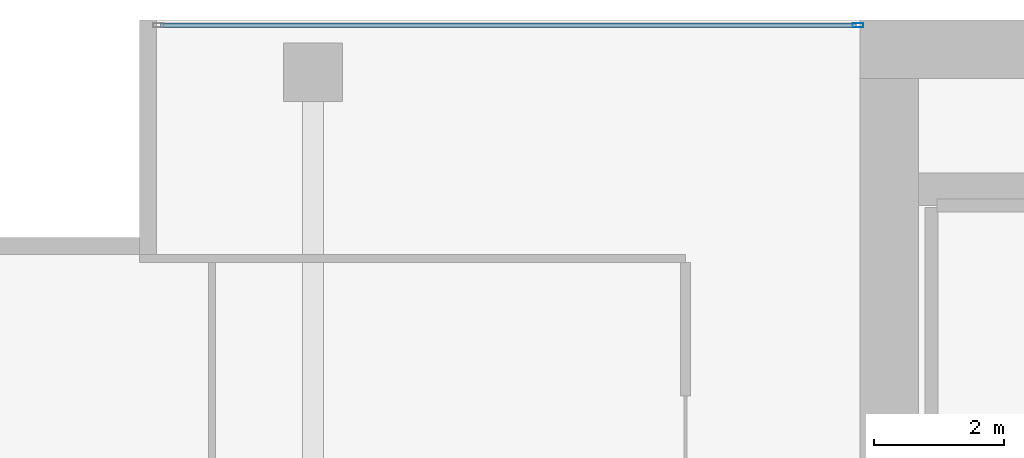
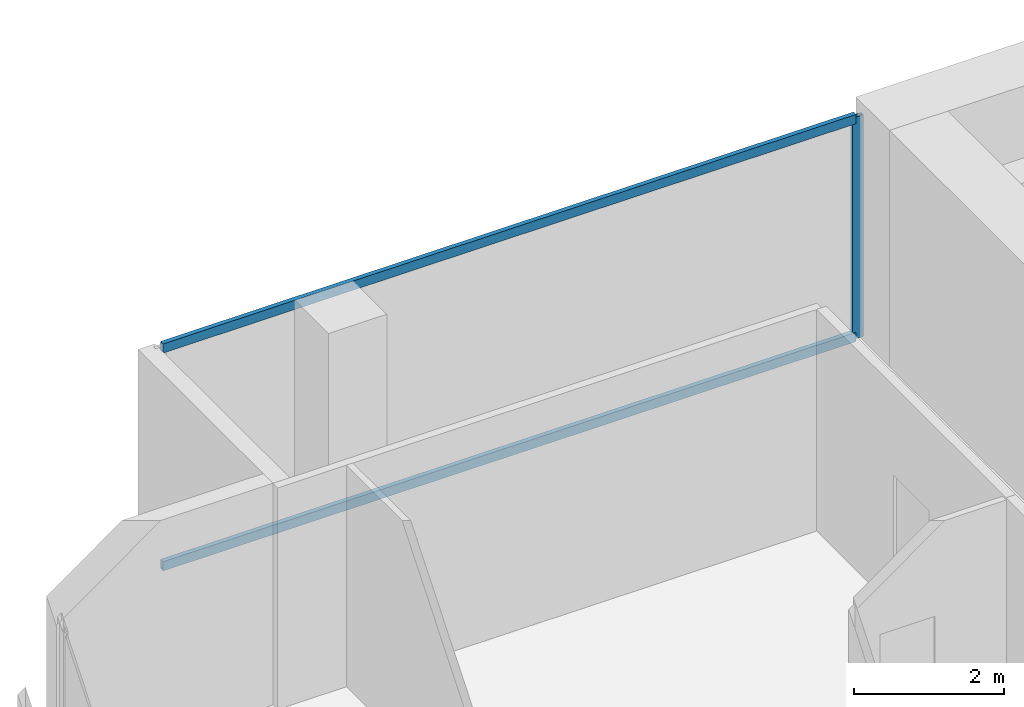
# One storey, part 26 of 40: 3 members, 1 element without a shape of its own.
"""IFC4 building model written with IfcOpenShell, lengths in metres."""

from ifc_helpers import new_model, si_unit, direction, frame, origin, origin_2d, place, context, subcontext, project, spatial, hollow_rectangle, extrude, material, layer, layer_set, material_profile, profile_set, type_object, element, aggregate, save


model = new_model("IFC4")

# Units and contexts
model_context = context("Model", 3, precision=1e-05, world=origin(), true_north=direction((0.0, 1.0)))
body_context = subcontext(model_context, "Body", "Model", "MODEL_VIEW")
ifc_project = project(units=[si_unit("LENGTHUNIT", "METRE"), si_unit("AREAUNIT", "SQUARE_METRE"), si_unit("VOLUMEUNIT", "CUBIC_METRE"), si_unit("PLANEANGLEUNIT", "RADIAN"), si_unit("MASSUNIT", "GRAM", prefix="KILO")], contexts=[model_context])

# Site, building, storey
site_placement = place(None, origin())
site = spatial("IfcSite", under=ifc_project, at=site_placement, CompositionType="ELEMENT")
building_placement = place(site_placement, origin())
building = spatial("IfcBuilding", under=site, at=building_placement, Name="Maruvema Waterfront Hotel and Observation Tower", CompositionType="ELEMENT")
storey_placement = place(building_placement, frame((0.0, 0.0, 100.10009765625)))
storey = spatial("IfcBuildingStorey", under=building, at=storey_placement, Name="L24", CompositionType="ELEMENT", Elevation=100.10009765625)

# Curtain wall, members
ifc_material_1 = material(Name="Anodised bronze aluminium and solar-control low-E IGU", Category="aluminium")
ifc_layer = layer(ifc_material_1, 0.159912109375, Name="Zone 1 Bronze Inner Thermal Curtain Wall System CW-02")
ifc_layer_set = layer_set([ifc_layer], Name="Anodised bronze aluminium and solar-control low-E IGU")
curtain_wall_type = type_object("IfcCurtainWallType", Name="Zone 1 Bronze Inner Thermal Curtain Wall System CW-02", PredefinedType="USERDEFINED", material=ifc_layer_set)
curtain_wall_placement = place(storey_placement, origin())
curtain_wall = element("IfcCurtainWall", 1, at=curtain_wall_placement, inside=storey, type_object=curtain_wall_type, Name="L24 Curtain Wall CW-L24-NW", ObjectType="UNITISED CURTAIN WALL", PredefinedType="USERDEFINED")
ifc_material_2 = material(Name="Anodised architectural bronze aluminium", Category="aluminium")
ifc_material_profile_1 = material_profile(ifc_material_2, hollow_rectangle(XDim=0.070068359375, YDim=0.14990234375, WallThickness=0.00390625, at=origin_2d()), Name="ALU-T70x150")
ifc_profile_set_1 = profile_set([ifc_material_profile_1], Name="Anodised architectural bronze aluminium")
member_type_1 = type_object("IfcMemberType", Name="Curtain Wall Horizontal Transom ALU-T70x150", PredefinedType="USERDEFINED", material=ifc_profile_set_1)
member_1_placement = place(storey_placement, frame((25.139892578125, 53.919921875, 0.02978515625), z_axis=(-1.0, 0.0, 0.0), x_axis=(0.0, -1.0, 0.0)))
member_1 = element("IfcMember", 2, at=member_1_placement, type_object=member_type_1, Name="CW-02 transom 1.1", ObjectType="TRANSOM", PredefinedType="USERDEFINED", context=body_context, shape_type="SweptSolid", body=[
    extrude(hollow_rectangle(XDim=0.070068359375, YDim=0.14990234375, WallThickness=0.00390625, at=origin_2d()), origin(), (0.0, 0.0, 1.0), 10.679931640625),
])
member_2_placement = place(storey_placement, frame((25.139892578125, 53.919921875, 3.579833984375), z_axis=(-1.0, 0.0, 0.0), x_axis=(0.0, -1.0, 0.0)))
member_2 = element("IfcMember", 3, at=member_2_placement, type_object=member_type_1, Name="CW-02 transom 1.2", ObjectType="TRANSOM", PredefinedType="USERDEFINED", context=body_context, shape_type="SweptSolid", body=[
    extrude(hollow_rectangle(XDim=0.070068359375, YDim=0.14990234375, WallThickness=0.00390625, at=origin_2d()), origin(), (0.0, 0.0, 1.0), 10.679931640625),
])
ifc_material_3 = material(Name="Anodised architectural bronze aluminium", Category="aluminium")
ifc_material_profile_2 = material_profile(ifc_material_3, hollow_rectangle(XDim=0.06494140625, YDim=0.1650390625, WallThickness=0.00390625, at=origin_2d()), Name="ALU-M65x165")
ifc_profile_set_2 = profile_set([ifc_material_profile_2], Name="Anodised architectural bronze aluminium")
member_type_2 = type_object("IfcMemberType", Name="Curtain Wall Primary Mullion ALU-M65x165", PredefinedType="MULLION", material=ifc_profile_set_2)
member_3_placement = place(storey_placement, frame((25.169921875, 53.919921875, 0.0), z_axis=(0.0, 0.0, 1.0), x_axis=(0.0, -1.0, 0.0)))
member_3 = element("IfcMember", 4, at=member_3_placement, type_object=member_type_2, Name="CW-02 mullion 1", PredefinedType="MULLION", context=body_context, shape_type="SweptSolid", body=[
    extrude(hollow_rectangle(XDim=0.06494140625, YDim=0.1650390625, WallThickness=0.00390625, at=origin_2d()), origin(), (0.0, 0.0, 1.0), 3.60986328125),
])
aggregate(curtain_wall, [member_3, member_1, member_2])

save(model, "model.ifc")
